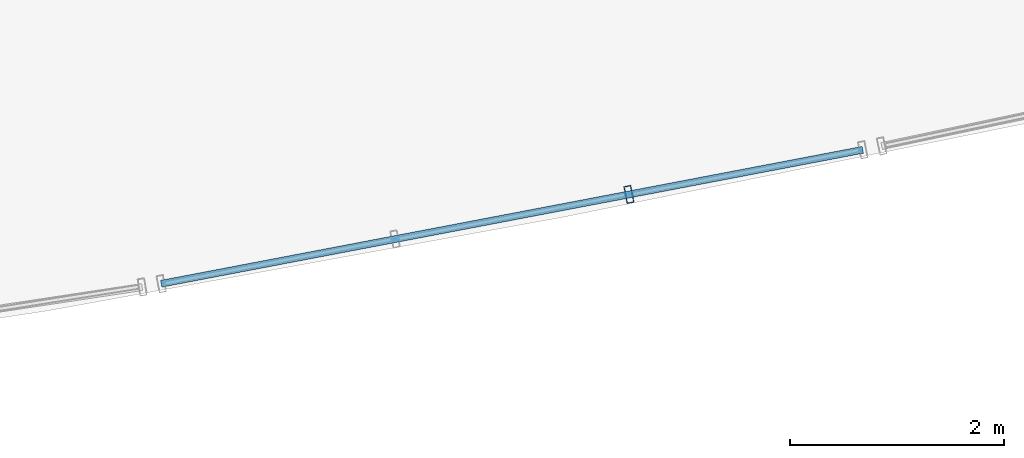
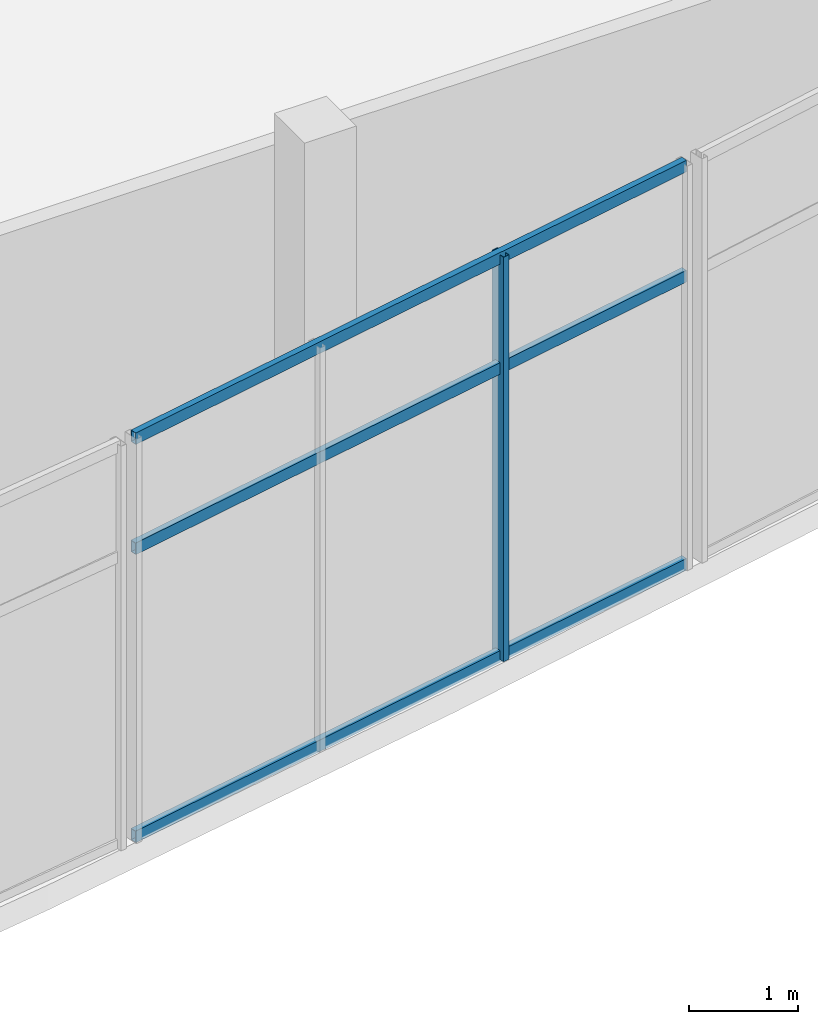
# One storey, part 85 of 157: 4 members, 1 element without a shape of its own.
"""IFC4 building model written with IfcOpenShell, lengths in metres."""

import ifcopenshell
import ifcopenshell.guid

model = None  # the IFC model being written
_history = None  # IfcOwnerHistory: only IFC2X3 demands one
_inside = {}  # id of a spatial element -> (the spatial element, [elements in it])
_under = {}  # id of a project, library or spatial element -> (it, [spatial elements below it])
_declared = {}  # id of a project -> (the project, [libraries it declares])
_typed = {}  # id of a type object -> (the type object, [elements of that type])
_made_of = {}  # id of a material, layer set ... -> (it, [elements and type objects made of it])


def new_model(schema):
    """Start an empty IFC model of exactly this schema.

    Asked for "IFC4X3", IfcOpenShell would pick the latest addendum, in which some entities
    have other attributes; the version numbers below select the first issue.
    IFC2X3 requires an IfcOwnerHistory on every rooted entity: one is made here for all.
    """
    global model, _history
    if schema == "IFC4X3":
        model = ifcopenshell.file(schema_version=(4, 3, 0, 0))
    else:
        model = ifcopenshell.file(schema=schema)
    _inside.clear()
    _under.clear()
    _declared.clear()
    _typed.clear()
    _made_of.clear()
    _history = None
    if model.schema == "IFC2X3":
        org = make("IfcOrganization", Name="unknown")
        user = make(
            "IfcPersonAndOrganization",
            ThePerson=make("IfcPerson", FamilyName="unknown"),
            TheOrganization=org,
        )
        app = make(
            "IfcApplication",
            ApplicationDeveloper=org,
            Version="unknown",
            ApplicationFullName="unknown",
            ApplicationIdentifier="unknown",
        )
        _history = make(
            "IfcOwnerHistory",
            OwningUser=user,
            OwningApplication=app,
            ChangeAction="ADDED",
            CreationDate=0,
        )
    return model


def make(cls, **values):
    """One entity of the class cls with the attributes given. An attribute that is None is left unset."""
    return model.create_entity(
        cls, **{name: value for name, value in values.items() if value is not None}
    )


def rooted(cls, **values):
    """An entity with a GlobalId (a new one), such as an element, a storey or a relation."""
    return make(cls, GlobalId=ifcopenshell.guid.new(), OwnerHistory=_history, **values)


def si_unit(unit_type, name, prefix=None):
    """IfcSIUnit, for example si_unit("LENGTHUNIT", "METRE", prefix="MILLI")."""
    return make("IfcSIUnit", UnitType=unit_type, Prefix=prefix, Name=name)


def assignment(units):
    """IfcUnitAssignment: the units of a project."""
    return None if units is None else make("IfcUnitAssignment", Units=units)


def point(xyz):
    """IfcCartesianPoint."""
    return None if xyz is None else make("IfcCartesianPoint", Coordinates=xyz)


def direction(xyz):
    """IfcDirection."""
    return None if xyz is None else make("IfcDirection", DirectionRatios=xyz)


def frame(location, z_axis=None, x_axis=None):
    """IfcAxis2Placement3D, a coordinate frame: its origin and axes. An axis left out is left unset."""
    return make(
        "IfcAxis2Placement3D",
        Location=point(location),
        Axis=direction(z_axis),
        RefDirection=direction(x_axis),
    )


def frame_2d(location, x_axis=None):
    """IfcAxis2Placement2D, a coordinate frame in the plane: its origin and x axis."""
    return make(
        "IfcAxis2Placement2D", Location=point(location), RefDirection=direction(x_axis)
    )


def origin():
    """The frame at (0, 0, 0) with its axes left unset."""
    return frame((0.0, 0.0, 0.0))


def origin_2d():
    """The frame at (0, 0) in the plane with its x axis left unset."""
    return frame_2d((0.0, 0.0))


def place(relative_to, where):
    """IfcLocalPlacement: puts the frame where relative to a parent placement (None: the world)."""
    return make(
        "IfcLocalPlacement", PlacementRelTo=relative_to, RelativePlacement=where
    )


def context(
    kind, dimensions, precision=None, world=None, true_north=None, identifier=None
):
    """IfcGeometricRepresentationContext, for example the 3D "Model" context."""
    return make(
        "IfcGeometricRepresentationContext",
        ContextIdentifier=identifier,
        ContextType=kind,
        CoordinateSpaceDimension=dimensions,
        Precision=precision,
        WorldCoordinateSystem=world,
        TrueNorth=true_north,
    )


def subcontext(parent, identifier, kind, view, scale=None):
    """IfcGeometricRepresentationSubContext, for example "Body" below "Model"."""
    return make(
        "IfcGeometricRepresentationSubContext",
        ContextIdentifier=identifier,
        ContextType=kind,
        ParentContext=parent,
        TargetScale=scale,
        TargetView=view,
    )


def project(units=None, contexts=None):
    """IfcProject with its units and contexts."""
    return rooted(
        "IfcProject",
        Name="project",
        RepresentationContexts=contexts,
        UnitsInContext=assignment(units),
    )


def spatial(cls, under=None, at=None, **own):
    """A site, building, storey or space (cls), placed at a placement, below another one or the project."""
    s = rooted(cls, ObjectPlacement=at, **own)
    if under is not None:
        _under.setdefault(under.id(), (under, []))[1].append(s)
    return s


def profile(cls, at=None, kind="AREA", **sizes):
    """A parametric profile (cls). Its sizes go by their IFC names, for example OverallWidth=200.0."""
    return make(cls, ProfileType=kind, Position=at, **sizes)


def hollow_rectangle(**sizes):
    """IfcRectangleHollowProfileDef."""
    return profile("IfcRectangleHollowProfileDef", **sizes)


def extrude(swept, where, along, depth):
    """IfcExtrudedAreaSolid: the profile swept, set in the frame where, extruded along a direction by depth."""
    return make(
        "IfcExtrudedAreaSolid",
        SweptArea=swept,
        Position=where,
        ExtrudedDirection=direction(along),
        Depth=depth,
    )


def shape(context_of_items, identifier, shape_type, items):
    """IfcShapeRepresentation: the items that make up one representation, for example the "Body"."""
    return make(
        "IfcShapeRepresentation",
        ContextOfItems=context_of_items,
        RepresentationIdentifier=identifier,
        RepresentationType=shape_type,
        Items=items,
    )


def material(Name=None, Category=None):
    """IfcMaterial."""
    return make("IfcMaterial", Name=Name, Category=Category)


def layer(
    of_material, thickness, ventilated=None, Name=None, Category=None, Priority=None
):
    """IfcMaterialLayer: one layer of a wall or slab, of a material (None: an air gap)."""
    return make(
        "IfcMaterialLayer",
        Material=of_material,
        LayerThickness=thickness,
        IsVentilated=ventilated,
        Name=Name,
        Category=Category,
        Priority=Priority,
    )


def layer_set(layers, Name=None):
    """IfcMaterialLayerSet."""
    return make("IfcMaterialLayerSet", MaterialLayers=layers, LayerSetName=Name)


def material_profile(
    of_material, cross_section, Name=None, Category=None, Priority=None
):
    """IfcMaterialProfile: a cross section and its material."""
    return make(
        "IfcMaterialProfile",
        Name=Name,
        Material=of_material,
        Profile=cross_section,
        Priority=Priority,
        Category=Category,
    )


def profile_set(profiles, Name=None, composite=None):
    """IfcMaterialProfileSet."""
    return make(
        "IfcMaterialProfileSet",
        Name=Name,
        MaterialProfiles=profiles,
        CompositeProfile=composite,
    )


def made_of(thing, what):
    """Note that an element or type object is made of a material, layer set ...; save() writes the relation."""
    if what is not None:
        _made_of.setdefault(what.id(), (what, []))[1].append(thing)
    return thing


def type_object(cls, material=None, **own):
    """A type object (cls), such as IfcWallType, which elements share."""
    return made_of(rooted(cls, **own), material)


def element(
    cls,
    number,
    at=None,
    inside=None,
    cuts=None,
    type_object=None,
    material=None,
    context=None,
    identifier="Body",
    shape_type=None,
    held_by="IfcProductDefinitionShape",
    body=None,
    shapes=None,
    **own,
):
    """One element of the class cls, such as IfcWall. Its Tag is "e" and its number.

    at: its placement. inside: the storey or other place that contains it. cuts: it is an
    opening in that element (IfcRelVoidsElement). A single representation is given by context,
    identifier, shape_type and body (its items); several are given by shapes. held_by: the class
    of the entity that holds the representations. save() writes the other relations.
    """
    e = rooted(cls, Tag="e%d" % number, ObjectPlacement=at, **own)
    if body is not None:
        shapes = [shape(context, identifier, shape_type, body)]
    if shapes is not None:
        e.Representation = make(held_by, Representations=shapes)
    if inside is not None:
        _inside.setdefault(inside.id(), (inside, []))[1].append(e)
    if cuts is not None:
        rooted(
            "IfcRelVoidsElement", RelatingBuildingElement=cuts, RelatedOpeningElement=e
        )
    if type_object is not None:
        _typed.setdefault(type_object.id(), (type_object, []))[1].append(e)
    return made_of(e, material)


def aggregate(whole, parts):
    """IfcRelAggregates: a whole, such as a stair, and the parts it consists of."""
    return rooted("IfcRelAggregates", RelatingObject=whole, RelatedObjects=parts)


def save(model, path):
    """Write the relations noted so far, then the file.

    IfcRelAggregates (storeys below a building ...), IfcRelContainedInSpatialStructure (elements
    in a storey), IfcRelDefinesByType, IfcRelAssociatesMaterial and IfcRelDeclares: one each for
    every whole, place, type object, material and project.
    """
    for whole, parts in _under.values():
        aggregate(whole, parts)
    for where, things in _inside.values():
        rooted(
            "IfcRelContainedInSpatialStructure",
            RelatedElements=things,
            RelatingStructure=where,
        )
    for kind, things in _typed.values():
        rooted("IfcRelDefinesByType", RelatedObjects=things, RelatingType=kind)
    for what, things in _made_of.values():
        rooted("IfcRelAssociatesMaterial", RelatedObjects=things, RelatingMaterial=what)
    for by, libraries in _declared.values():
        rooted("IfcRelDeclares", RelatingContext=by, RelatedDefinitions=libraries)
    model.write(path)


model = new_model("IFC4")

# Units and contexts
model_context = context("Model", 3, precision=1e-05, world=origin(), true_north=direction((0.0, 1.0)))
body_context = subcontext(model_context, "Body", "Model", "MODEL_VIEW")
ifc_project = project(units=[si_unit("LENGTHUNIT", "METRE"), si_unit("AREAUNIT", "SQUARE_METRE"), si_unit("VOLUMEUNIT", "CUBIC_METRE"), si_unit("PLANEANGLEUNIT", "RADIAN"), si_unit("MASSUNIT", "GRAM", prefix="KILO")], contexts=[model_context])

# Site, building, storey
site_placement = place(None, origin())
site = spatial("IfcSite", under=ifc_project, at=site_placement, CompositionType="ELEMENT")
building_placement = place(site_placement, origin())
building = spatial("IfcBuilding", under=site, at=building_placement, Name="Chalmorin Arch Market", CompositionType="ELEMENT")
storey_placement = place(building_placement, frame((0.0, 0.0, 4.800048828125)))
storey = spatial("IfcBuildingStorey", under=building, at=storey_placement, Name="L01", CompositionType="ELEMENT", Elevation=4.800048828125)

# Curtain wall, members
ifc_material = material(Name="Aluminium 6063-T6", Category="aluminium")
ifc_layer = layer(ifc_material, 0.159912109375)
ifc_layer_set = layer_set([ifc_layer], Name="Aluminium 6063-T6")
curtain_wall_type = type_object("IfcCurtainWallType", Name="CulinaryStudioCurtainWall-CW3-6660x4520", PredefinedType="NOTDEFINED", material=ifc_layer_set)
curtain_wall_placement = place(storey_placement, origin())
curtain_wall = element("IfcCurtainWall", 1, at=curtain_wall_placement, inside=storey, type_object=curtain_wall_type, Name="CW-03-174", PredefinedType="NOTDEFINED")
ifc_material_profile_1 = material_profile(ifc_material, hollow_rectangle(XDim=0.06494140625, YDim=0.159912109375, WallThickness=0.00390625, at=origin_2d()), Name="ALU65X160X4")
ifc_profile_set_1 = profile_set([ifc_material_profile_1], Name="Aluminium 6063-T6")
member_type_1 = type_object("IfcMemberType", Name="CurtainWallMullion-65x160", PredefinedType="MULLION", material=ifc_profile_set_1)
member_1_placement = place(storey_placement, frame((106.21044921875, 69.665771484375, 0.0), z_axis=(0.0, 0.0, 1.0), x_axis=(0.981627183448, 0.190808995377, 0.0)))
member_1 = element("IfcMember", 2, at=member_1_placement, type_object=member_type_1, Name="ML-174-03", PredefinedType="MULLION", context=body_context, shape_type="SweptSolid", body=[
    extrude(hollow_rectangle(XDim=0.06494140625, YDim=0.159912109375, WallThickness=0.00390625, at=origin_2d()), origin(), (0.0, 0.0, 1.0), 4.52001953125),
])
ifc_material_profile_2 = material_profile(ifc_material, hollow_rectangle(XDim=0.06494140625, YDim=0.1298828125, WallThickness=0.00390625, at=origin_2d()), Name="ALU65X130X4")
ifc_profile_set_2 = profile_set([ifc_material_profile_2], Name="Aluminium 6063-T6")
member_type_2 = type_object("IfcMemberType", Name="CurtainWallTransom-65x130", PredefinedType="USERDEFINED", material=ifc_profile_set_2)
member_2_placement = place(storey_placement, frame((101.848388671875, 68.8330078125, 0.034912109375), z_axis=(0.982264065399, 0.187502815514, 0.0), x_axis=(-0.187502815514, 0.982264065399, 0.0)))
member_2 = element("IfcMember", 3, at=member_2_placement, type_object=member_type_2, Name="TR-174-01", ObjectType="TRANSOM", PredefinedType="USERDEFINED", context=body_context, shape_type="SweptSolid", body=[
    extrude(hollow_rectangle(XDim=0.06494140625, YDim=0.1298828125, WallThickness=0.00390625, at=origin_2d()), origin(), (0.0, 0.0, 1.0), 6.661376953125),
])
member_3_placement = place(storey_placement, frame((101.848388671875, 68.8330078125, 3.25439453125), z_axis=(0.982264065399, 0.187502815514, 0.0), x_axis=(-0.187502815514, 0.982264065399, 0.0)))
member_3 = element("IfcMember", 4, at=member_3_placement, type_object=member_type_2, Name="TR-174-02", ObjectType="TRANSOM", PredefinedType="USERDEFINED", context=body_context, shape_type="SweptSolid", body=[
    extrude(hollow_rectangle(XDim=0.06494140625, YDim=0.1298828125, WallThickness=0.00390625, at=origin_2d()), origin(), (0.0, 0.0, 1.0), 6.661376953125),
])
member_4_placement = place(storey_placement, frame((101.848388671875, 68.8330078125, 4.48486328125), z_axis=(0.982264065399, 0.187502815514, 0.0), x_axis=(-0.187502815514, 0.982264065399, 0.0)))
member_4 = element("IfcMember", 5, at=member_4_placement, type_object=member_type_2, Name="TR-174-03", ObjectType="TRANSOM", PredefinedType="USERDEFINED", context=body_context, shape_type="SweptSolid", body=[
    extrude(hollow_rectangle(XDim=0.06494140625, YDim=0.1298828125, WallThickness=0.00390625, at=origin_2d()), origin(), (0.0, 0.0, 1.0), 6.661376953125),
])
aggregate(curtain_wall, [member_1, member_2, member_3, member_4])

save(model, "model.ifc")
